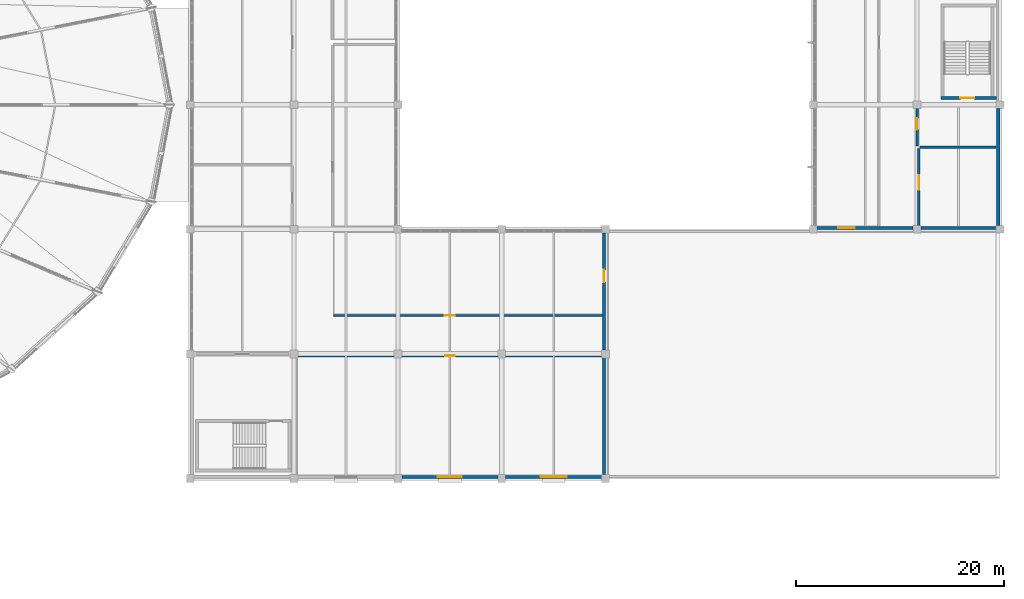
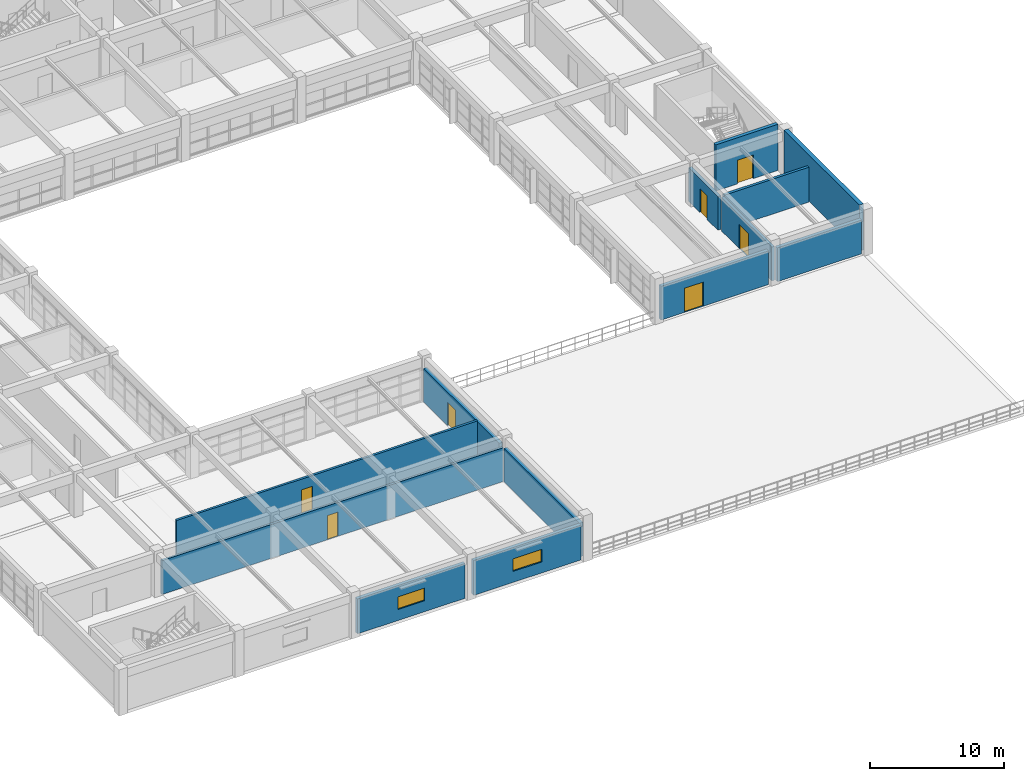
# One storey, part 71 of 83: 13 walls, 7 doors, 2 windows, 9 openings.
"""IFC4 building model written with IfcOpenShell, lengths in metres."""

from ifc_helpers import new_model, si_unit, direction, frame, frame_2d, origin, place, context, subcontext, project, spatial, rectangle, extrude, material, layer, layer_set, type_object, element, fill, save


model = new_model("IFC4")

# Units and contexts
model_context = context("Model", 3, precision=1e-05, world=origin(), true_north=direction((0.0, 1.0)))
body_context = subcontext(model_context, "Body", "Model", "MODEL_VIEW")
ifc_project = project(units=[si_unit("LENGTHUNIT", "METRE"), si_unit("AREAUNIT", "SQUARE_METRE"), si_unit("VOLUMEUNIT", "CUBIC_METRE"), si_unit("PLANEANGLEUNIT", "RADIAN"), si_unit("MASSUNIT", "GRAM", prefix="KILO")], contexts=[model_context])

# Site, building, storey
site_placement = place(None, origin())
site = spatial("IfcSite", under=ifc_project, at=site_placement, CompositionType="ELEMENT")
building_placement = place(site_placement, origin())
building = spatial("IfcBuilding", under=site, at=building_placement, Name="Kivolera Central Railway Station", CompositionType="ELEMENT")
storey_placement = place(building_placement, frame((0.0, 0.0, 14.39990234375)))
storey = spatial("IfcBuildingStorey", under=building, at=storey_placement, Name="L03", CompositionType="ELEMENT", Elevation=14.39990234375)

# Wall, opening, door
ifc_material_1 = material(Name="Concrete C40/50", Category="concrete")
ifc_layer_1 = layer(ifc_material_1, 0.22998046875, Name="Concrete C40/50")
ifc_layer_set_1 = layer_set([ifc_layer_1], Name="Concrete C40/50")
wall_type_1 = type_object("IfcWallType", Name="WL-COMP-230", PredefinedType="PARTITIONING", material=ifc_layer_set_1)
wall_1_placement = place(storey_placement, frame((188.179931640625, 78.300048828125, 0.0), z_axis=(0.0, 0.0, 1.0), x_axis=(0.0, 1.0, 0.0)))
wall_1 = element("IfcWall", 1, at=wall_1_placement, inside=storey, type_object=wall_type_1, Name="L03 Level 03 Air Handling Plant Room Corridor Wall", PredefinedType="PARTITIONING", context=body_context, shape_type="SweptSolid", body=[
    extrude(rectangle(XDim=7.5, YDim=0.22998046875, at=frame_2d((3.75, 0.0))), origin(), (0.0, 0.0, 1.0), 3.078125),
])
opening_1_placement = place(wall_1_placement, frame((3.5, 0.0, 0.0)))
opening_1 = element("IfcOpeningElement", 2, at=opening_1_placement, cuts=wall_1, Name="Opening D-PLT-1400", PredefinedType="OPENING", context=body_context, shape_type="SweptSolid", body=[
    extrude(rectangle(XDim=1.39990234375, YDim=2.199951171875, at=frame_2d((0.699951171875, 1.10009765625))), frame((0.0, 0.125, 0.0), z_axis=(0.0, -1.0, 0.0), x_axis=(1.0, 0.0, 0.0)), (0.0, 0.0, 1.0), 0.25),
])
ifc_material_2 = material(Name="Anodised aluminium", Category="aluminium")
door_type_1 = type_object("IfcDoorType", Name="DR-D-PLT-1400", OperationType="NOTDEFINED", PredefinedType="DOOR", material=ifc_material_2)
door_1_placement = place(opening_1_placement, origin())
door_1 = element("IfcDoor", 3, at=door_1_placement, inside=storey, type_object=door_type_1, Name="L03 Level 03 Air Handling Plant Room Door", OperationType="SINGLE_SWING_RIGHT", OverallHeight=2.199951171875, OverallWidth=1.39990234375, PredefinedType="DOOR", context=body_context, shape_type="SweptSolid", body=[
    extrude(rectangle(XDim=1.39990234375, YDim=2.199951171875, at=frame_2d((0.699951171875, 1.10009765625))), frame((0.0, 0.02490234375, 0.0), z_axis=(0.0, -1.0, 0.0), x_axis=(1.0, 0.0, 0.0)), (0.0, 0.0, 1.0), 0.050048828125),
])
fill(opening_1, door_1)

# Wall
wall_2_placement = place(storey_placement, frame((188.300048828125, 85.89990234375, 0.0), z_axis=(0.0, 0.0, 1.0), x_axis=(1.0, 0.0, 0.0)))
element("IfcWall", 4, at=wall_2_placement, inside=storey, type_object=wall_type_1, Name="L03 Level 03 Air Handling Plant Room Partition Wall", PredefinedType="PARTITIONING", context=body_context, shape_type="SweptSolid", body=[
    extrude(rectangle(XDim=7.300048828125, YDim=0.22998046875, at=frame_2d((3.64990234375, 0.0))), origin(), (0.0, 0.0, 1.0), 3.177978515625),
])

# Wall, opening, door
ifc_material_3 = material(Name="Swahili coral limestone", Category="masonry")
ifc_layer_2 = layer(ifc_material_3, 0.199951171875, Name="Swahili coral limestone")
ifc_layer_set_2 = layer_set([ifc_layer_2], Name="Swahili coral limestone")
wall_type_2 = type_object("IfcWallType", Name="WL-COR-200", PredefinedType="PARTITIONING", material=ifc_layer_set_2)
wall_3_placement = place(storey_placement, frame((128.300048828125, 65.820068359375, 0.0), z_axis=(0.0, 0.0, 1.0), x_axis=(1.0, 0.0, 0.0)))
wall_3 = element("IfcWall", 5, at=wall_3_placement, inside=storey, type_object=wall_type_2, Name="L03 Human Resources and Legal Office Corridor Wall", PredefinedType="PARTITIONING", context=body_context, shape_type="SweptSolid", body=[
    extrude(rectangle(XDim=29.39990234375, YDim=0.199951171875, at=frame_2d((14.699951171875, 0.0))), origin(), (0.0, 0.0, 1.0), 3.078125),
])
opening_2_placement = place(wall_3_placement, frame((14.25, 0.0, 0.0)))
opening_2 = element("IfcOpeningElement", 6, at=opening_2_placement, cuts=wall_3, Name="Opening D-SG-07", PredefinedType="OPENING", context=body_context, shape_type="SweptSolid", body=[
    extrude(rectangle(XDim=0.89990234375, YDim=2.199951171875, at=frame_2d((0.449951171875, 1.10009765625))), frame((0.0, 0.10986328125, 0.0), z_axis=(0.0, -1.0, 0.0), x_axis=(1.0, 0.0, 0.0)), (0.0, 0.0, 1.0), 0.219970703125),
])
ifc_material_4 = material(Name="Hardwood mvule timber", Category="wood")
door_type_2 = type_object("IfcDoorType", Name="DR-D-SG-07", OperationType="NOTDEFINED", PredefinedType="DOOR", material=ifc_material_4)
door_2_placement = place(opening_2_placement, origin())
door_2 = element("IfcDoor", 7, at=door_2_placement, inside=storey, type_object=door_type_2, Name="L03 Human Resources and Legal Office Door", OperationType="SINGLE_SWING_LEFT", OverallHeight=2.199951171875, OverallWidth=0.89990234375, PredefinedType="DOOR", context=body_context, shape_type="SweptSolid", body=[
    extrude(rectangle(XDim=0.89990234375, YDim=2.199951171875, at=frame_2d((0.449951171875, 1.10009765625))), frame((0.0, 0.02490234375, 0.0), z_axis=(0.0, -1.0, 0.0), x_axis=(1.0, 0.0, 0.0)), (0.0, 0.0, 1.0), 0.050048828125),
])
fill(opening_2, door_2)

wall_4_placement = place(storey_placement, frame((131.800048828125, 69.679931640625, 0.0), z_axis=(0.0, 0.0, 1.0), x_axis=(1.0, 0.0, 0.0)))
wall_4 = element("IfcWall", 8, at=wall_4_placement, inside=storey, type_object=wall_type_2, Name="L03 South Overlook Pavilion Lounge Corridor Wall", PredefinedType="PARTITIONING", context=body_context, shape_type="SweptSolid", body=[
    extrude(rectangle(XDim=25.89990234375, YDim=0.199951171875, at=frame_2d((12.949951171875, 0.0))), origin(), (0.0, 0.0, 1.0), 3.177978515625),
])
opening_3_placement = place(wall_4_placement, frame((10.72509765625, 0.0, 0.0)))
opening_3 = element("IfcOpeningElement", 9, at=opening_3_placement, cuts=wall_4, Name="Opening D-SG-08", PredefinedType="OPENING", context=body_context, shape_type="SweptSolid", body=[
    extrude(rectangle(XDim=0.949951171875, YDim=2.199951171875, at=frame_2d((0.47509765625, 1.10009765625))), frame((0.0, 0.10986328125, 0.0), z_axis=(0.0, -1.0, 0.0), x_axis=(1.0, 0.0, 0.0)), (0.0, 0.0, 1.0), 0.219970703125),
])
door_type_3 = type_object("IfcDoorType", Name="DR-D-SG-08", OperationType="NOTDEFINED", PredefinedType="DOOR", material=ifc_material_4)
door_3_placement = place(opening_3_placement, origin())
door_3 = element("IfcDoor", 10, at=door_3_placement, inside=storey, type_object=door_type_3, Name="L03 South Overlook Pavilion Lounge Door", OperationType="SINGLE_SWING_RIGHT", OverallHeight=2.199951171875, OverallWidth=0.949951171875, PredefinedType="DOOR", context=body_context, shape_type="SweptSolid", body=[
    extrude(rectangle(XDim=0.949951171875, YDim=2.199951171875, at=frame_2d((0.47509765625, 1.10009765625))), frame((0.0, 0.02490234375, 0.0), z_axis=(0.0, -1.0, 0.0), x_axis=(1.0, 0.0, 0.0)), (0.0, 0.0, 1.0), 0.050048828125),
])
fill(opening_3, door_3)

ifc_layer_3 = layer(ifc_material_1, 0.300048828125, Name="Concrete C40/50")
ifc_layer_set_3 = layer_set([ifc_layer_3], Name="Concrete C40/50")
wall_type_3 = type_object("IfcWallType", Name="WL-CORE-300", PredefinedType="SHEAR", material=ifc_layer_set_3)
wall_5_placement = place(storey_placement, frame((195.64990234375, 90.64990234375, 0.0), z_axis=(0.0, 0.0, 1.0), x_axis=(-1.0, 0.0, 0.0)))
wall_5 = element("IfcWall", 11, at=wall_5_placement, inside=storey, type_object=wall_type_3, Name="L03 ST11 Core Near Shear Wall", PredefinedType="SHEAR", context=body_context, shape_type="SweptSolid", body=[
    extrude(rectangle(XDim=5.349853515625, YDim=0.300048828125, at=frame_2d((2.6748046875, 0.0))), origin(), (0.0, 0.0, 1.0), 4.2001953125),
])
opening_4_placement = place(wall_5_placement, frame((2.125, 0.0, 0.0)))
opening_4 = element("IfcOpeningElement", 12, at=opening_4_placement, cuts=wall_5, Name="Opening D-STAIR-1350", PredefinedType="OPENING", context=body_context, shape_type="SweptSolid", body=[
    extrude(rectangle(XDim=1.35009765625, YDim=2.14990234375, at=frame_2d((0.675048828125, 1.074951171875))), frame((0.0, 0.159912109375, 0.0), z_axis=(0.0, -1.0, 0.0), x_axis=(1.0, 0.0, 0.0)), (0.0, 0.0, 1.0), 0.320068359375),
])
door_type_4 = type_object("IfcDoorType", Name="DR-D-STAIR-1350", OperationType="NOTDEFINED", PredefinedType="DOOR", material=ifc_material_4)
door_4_placement = place(opening_4_placement, origin())
door_4 = element("IfcDoor", 13, at=door_4_placement, inside=storey, type_object=door_type_4, Name="L03 ST11 Concourse/Platform Stair Fire Door", OperationType="SINGLE_SWING_RIGHT", OverallHeight=2.14990234375, OverallWidth=1.35009765625, PredefinedType="DOOR", context=body_context, shape_type="SweptSolid", body=[
    extrude(rectangle(XDim=1.35009765625, YDim=2.14990234375, at=frame_2d((0.675048828125, 1.074951171875))), frame((0.0, 0.02490234375, 0.0), z_axis=(0.0, -1.0, 0.0), x_axis=(1.0, 0.0, 0.0)), (0.0, 0.0, 1.0), 0.050048828125),
])
fill(opening_4, door_4)

ifc_layer_4 = layer(ifc_material_3, 0.2900390625, Name="Swahili coral limestone")
ifc_layer_set_4 = layer_set([ifc_layer_4], Name="Swahili coral limestone")
wall_type_4 = type_object("IfcWallType", Name="WL-EXT-CORAL-290", PredefinedType="SOLIDWALL", material=ifc_layer_set_4)
wall_6_placement = place(storey_placement, frame((187.6298828125, 78.14501953125, 0.0), z_axis=(0.0, 0.0, 1.0), x_axis=(-1.0, 0.0, 0.0)))
wall_6 = element("IfcWall", 14, at=wall_6_placement, inside=storey, type_object=wall_type_4, Name="L03 East Wing South Wall 178", PredefinedType="SOLIDWALL", context=body_context, shape_type="SweptSolid", body=[
    extrude(rectangle(XDim=9.259765625, YDim=0.2900390625, at=frame_2d((4.6298828125, 0.0))), origin(), (0.0, 0.0, 1.0), 3.078125),
])
opening_5_placement = place(wall_6_placement, frame((5.6298828125, 0.0, 0.0)))
opening_5 = element("IfcOpeningElement", 15, at=opening_5_placement, cuts=wall_6, Name="Opening TD-1600", PredefinedType="OPENING", context=body_context, shape_type="SweptSolid", body=[
    extrude(rectangle(XDim=1.60009765625, YDim=2.199951171875, at=frame_2d((0.800048828125, 1.10009765625))), frame((0.0, 0.155029296875, 0.0), z_axis=(0.0, -1.0, 0.0), x_axis=(1.0, 0.0, 0.0)), (0.0, 0.0, 1.0), 0.31005859375),
])
door_type_5 = type_object("IfcDoorType", Name="DR-TD-1600", OperationType="NOTDEFINED", PredefinedType="DOOR", material=ifc_material_2)
door_5_placement = place(opening_5_placement, origin())
door_5 = element("IfcDoor", 16, at=door_5_placement, inside=storey, type_object=door_type_5, Name="L03 Civic Lounge Monsoon Terrace Door", OperationType="DOUBLE_DOOR_SINGLE_SWING", OverallHeight=2.199951171875, OverallWidth=1.60009765625, PredefinedType="DOOR", context=body_context, shape_type="SweptSolid", body=[
    extrude(rectangle(XDim=1.60009765625, YDim=2.199951171875, at=frame_2d((0.800048828125, 1.10009765625))), frame((0.0, 0.02490234375, 0.0), z_axis=(0.0, -1.0, 0.0), x_axis=(1.0, 0.0, 0.0)), (0.0, 0.0, 1.0), 0.050048828125),
])
fill(opening_5, door_5)

# Walls
wall_7_placement = place(storey_placement, frame((195.6298828125, 78.14501953125, 0.0), z_axis=(0.0, 0.0, 1.0), x_axis=(-1.0, 0.0, 0.0)))
element("IfcWall", 17, at=wall_7_placement, inside=storey, type_object=wall_type_4, Name="L03 East Wing South Wall 188", PredefinedType="SOLIDWALL", context=body_context, shape_type="SweptSolid", body=[
    extrude(rectangle(XDim=7.259765625, YDim=0.2900390625, at=frame_2d((3.6298828125, 0.0))), origin(), (0.0, 0.0, 1.0), 3.078125),
])
wall_8_placement = place(storey_placement, frame((157.85498046875, 65.6298828125, 0.0), z_axis=(0.0, 0.0, 1.0), x_axis=(0.0, -1.0, 0.0)))
element("IfcWall", 18, at=wall_8_placement, inside=storey, type_object=wall_type_4, Name="L03 Terrace Step Wall E-F", PredefinedType="SOLIDWALL", context=body_context, shape_type="SweptSolid", body=[
    extrude(rectangle(XDim=11.259765625, YDim=0.2900390625, at=frame_2d((5.6298828125, 0.0))), origin(), (0.0, 0.0, 1.0), 3.078125),
])

# Wall, opening, door
wall_9_placement = place(storey_placement, frame((157.85498046875, 77.6298828125, 0.0), z_axis=(0.0, 0.0, 1.0), x_axis=(0.0, -1.0, 0.0)))
wall_9 = element("IfcWall", 19, at=wall_9_placement, inside=storey, type_object=wall_type_4, Name="L03 Terrace Step Wall F-G", PredefinedType="SOLIDWALL", context=body_context, shape_type="SweptSolid", body=[
    extrude(rectangle(XDim=11.259765625, YDim=0.2900390625, at=frame_2d((5.6298828125, 0.0))), origin(), (0.0, 0.0, 1.0), 3.078125),
])
opening_6_placement = place(wall_9_placement, frame((3.530029296875, 0.0, 0.0)))
opening_6 = element("IfcOpeningElement", 20, at=opening_6_placement, cuts=wall_9, Name="Opening TD-1200", PredefinedType="OPENING", context=body_context, shape_type="SweptSolid", body=[
    extrude(rectangle(XDim=1.199951171875, YDim=2.14990234375, at=frame_2d((0.60009765625, 1.074951171875))), frame((0.0, 0.155029296875, 0.0), z_axis=(0.0, -1.0, 0.0), x_axis=(1.0, 0.0, 0.0)), (0.0, 0.0, 1.0), 0.31005859375),
])
door_type_6 = type_object("IfcDoorType", Name="DR-TD-1200", OperationType="NOTDEFINED", PredefinedType="DOOR", material=ifc_material_2)
door_6_placement = place(opening_6_placement, origin())
door_6 = element("IfcDoor", 21, at=door_6_placement, inside=storey, type_object=door_type_6, Name="L03 South Pavilion Monsoon Terrace Door", OperationType="SINGLE_SWING_RIGHT", OverallHeight=2.14990234375, OverallWidth=1.199951171875, PredefinedType="DOOR", context=body_context, shape_type="SweptSolid", body=[
    extrude(rectangle(XDim=1.199951171875, YDim=2.14990234375, at=frame_2d((0.60009765625, 1.074951171875))), frame((0.0, 0.02490234375, 0.0), z_axis=(0.0, -1.0, 0.0), x_axis=(1.0, 0.0, 0.0)), (0.0, 0.0, 1.0), 0.050048828125),
])
fill(opening_6, door_6)

# Wall, opening, window
wall_10_placement = place(storey_placement, frame((147.6298828125, 54.14501953125, 0.0), z_axis=(0.0, 0.0, 1.0), x_axis=(-1.0, 0.0, 0.0)))
wall_10 = element("IfcWall", 22, at=wall_10_placement, inside=storey, type_object=wall_type_4, Name="L03 South Facade Wall 138-148", PredefinedType="SOLIDWALL", context=body_context, shape_type="SweptSolid", body=[
    extrude(rectangle(XDim=9.259765625, YDim=0.2900390625, at=frame_2d((4.6298828125, 0.0))), origin(), (0.0, 0.0, 1.0), 3.177978515625),
])
opening_7_placement = place(wall_10_placement, frame((3.47998046875, 0.0, 1.0)))
opening_7 = element("IfcOpeningElement", 23, at=opening_7_placement, cuts=wall_10, Name="Opening WN-08", PredefinedType="OPENING", context=body_context, shape_type="SweptSolid", body=[
    extrude(rectangle(XDim=2.300048828125, YDim=1.14990234375, at=frame_2d((1.14990234375, 0.574951171875))), frame((0.0, 0.155029296875, 0.0), z_axis=(0.0, -1.0, 0.0), x_axis=(1.0, 0.0, 0.0)), (0.0, 0.0, 1.0), 0.31005859375),
])
ifc_material_5 = material(Name="Double low-E laminated glass", Category="glass")
window_type_1 = type_object("IfcWindowType", Name="WIN-WN-08", PartitioningType="SINGLE_PANEL", PredefinedType="WINDOW", material=ifc_material_5)
window_1_placement = place(opening_7_placement, origin())
window_1 = element("IfcWindow", 24, at=window_1_placement, inside=storey, type_object=window_type_1, Name="L03 South Facade Window 138", OverallHeight=1.14990234375, OverallWidth=2.300048828125, PartitioningType="SINGLE_PANEL", PredefinedType="WINDOW", context=body_context, shape_type="SweptSolid", body=[
    extrude(rectangle(XDim=2.300048828125, YDim=1.14990234375, at=frame_2d((1.14990234375, 0.574951171875))), frame((0.0, 0.030029296875, 0.0), z_axis=(0.0, -1.0, 0.0), x_axis=(1.0, 0.0, 0.0)), (0.0, 0.0, 1.0), 0.06005859375),
])
fill(opening_7, window_1)

wall_11_placement = place(storey_placement, frame((157.6298828125, 54.14501953125, 0.0), z_axis=(0.0, 0.0, 1.0), x_axis=(-1.0, 0.0, 0.0)))
wall_11 = element("IfcWall", 25, at=wall_11_placement, inside=storey, type_object=wall_type_4, Name="L03 South Facade Wall 148-158", PredefinedType="SOLIDWALL", context=body_context, shape_type="SweptSolid", body=[
    extrude(rectangle(XDim=9.259765625, YDim=0.2900390625, at=frame_2d((4.6298828125, 0.0))), origin(), (0.0, 0.0, 1.0), 3.177978515625),
])
opening_8_placement = place(wall_11_placement, frame((3.3798828125, 0.0, 1.0)))
opening_8 = element("IfcOpeningElement", 26, at=opening_8_placement, cuts=wall_11, Name="Opening WN-09", PredefinedType="OPENING", context=body_context, shape_type="SweptSolid", body=[
    extrude(rectangle(XDim=2.5, YDim=1.14990234375, at=frame_2d((1.25, 0.574951171875))), frame((0.0, 0.155029296875, 0.0), z_axis=(0.0, -1.0, 0.0), x_axis=(1.0, 0.0, 0.0)), (0.0, 0.0, 1.0), 0.31005859375),
])
window_type_2 = type_object("IfcWindowType", Name="WIN-WN-09", PartitioningType="SINGLE_PANEL", PredefinedType="WINDOW", material=ifc_material_5)
window_2_placement = place(opening_8_placement, origin())
window_2 = element("IfcWindow", 27, at=window_2_placement, inside=storey, type_object=window_type_2, Name="L03 South Facade Window 148", OverallHeight=1.14990234375, OverallWidth=2.5, PartitioningType="SINGLE_PANEL", PredefinedType="WINDOW", context=body_context, shape_type="SweptSolid", body=[
    extrude(rectangle(XDim=2.5, YDim=1.14990234375, at=frame_2d((1.25, 0.574951171875))), frame((0.0, 0.030029296875, 0.0), z_axis=(0.0, -1.0, 0.0), x_axis=(1.0, 0.0, 0.0)), (0.0, 0.0, 1.0), 0.06005859375),
])
fill(opening_8, window_2)

# Wall, opening, door
ifc_layer_5 = layer(ifc_material_1, 0.25, Name="Concrete C40/50")
ifc_layer_set_5 = layer_set([ifc_layer_5], Name="Concrete C40/50")
wall_type_5 = type_object("IfcWallType", Name="WL-FFL-250", PredefinedType="PARTITIONING", material=ifc_layer_set_5)
wall_12_placement = place(storey_placement, frame((188.0, 86.0, 0.0), z_axis=(0.0, 0.0, 1.0), x_axis=(0.0, 1.0, 0.0)))
wall_12 = element("IfcWall", 28, at=wall_12_placement, inside=storey, type_object=wall_type_5, Name="L03 ST11 Lobby Wall", PredefinedType="PARTITIONING", context=body_context, shape_type="SweptSolid", body=[
    extrude(rectangle(XDim=4.35009765625, YDim=0.25, at=frame_2d((2.175048828125, 0.0))), origin(), (0.0, 0.0, 1.0), 3.078125),
])
opening_9_placement = place(wall_12_placement, frame((1.60009765625, 0.0, 0.0)))
opening_9 = element("IfcOpeningElement", 29, at=opening_9_placement, cuts=wall_12, Name="Opening D-FFL-1100", PredefinedType="OPENING", context=body_context, shape_type="SweptSolid", body=[
    extrude(rectangle(XDim=1.10009765625, YDim=2.14990234375, at=frame_2d((0.550048828125, 1.074951171875))), frame((0.0, 0.135009765625, 0.0), z_axis=(0.0, -1.0, 0.0), x_axis=(1.0, 0.0, 0.0)), (0.0, 0.0, 1.0), 0.27001953125),
])
door_type_7 = type_object("IfcDoorType", Name="DR-D-FFL-1100", OperationType="NOTDEFINED", PredefinedType="DOOR", material=ifc_material_4)
door_7_placement = place(opening_9_placement, origin())
door_7 = element("IfcDoor", 30, at=door_7_placement, inside=storey, type_object=door_type_7, Name="L03 ST11 Lobby Corridor Door", OperationType="SINGLE_SWING_RIGHT", OverallHeight=2.14990234375, OverallWidth=1.10009765625, PredefinedType="DOOR", context=body_context, shape_type="SweptSolid", body=[
    extrude(rectangle(XDim=1.10009765625, YDim=2.14990234375, at=frame_2d((0.550048828125, 1.074951171875))), frame((0.0, 0.02490234375, 0.0), z_axis=(0.0, -1.0, 0.0), x_axis=(1.0, 0.0, 0.0)), (0.0, 0.0, 1.0), 0.050048828125),
])
fill(opening_9, door_7)

# Wall
ifc_layer_6 = layer(ifc_material_1, 0.35009765625, Name="Concrete C40/50")
ifc_layer_set_6 = layer_set([ifc_layer_6], Name="Concrete C40/50")
wall_type_6 = type_object("IfcWallType", Name="WL-PARTY-350", PredefinedType="SOLIDWALL", material=ifc_layer_set_6)
wall_13_placement = place(storey_placement, frame((195.824951171875, 89.6298828125, 0.0), z_axis=(0.0, 0.0, 1.0), x_axis=(0.0, -1.0, 0.0)))
element("IfcWall", 31, at=wall_13_placement, inside=storey, type_object=wall_type_6, Name="L03 East Infill EI 120 Party Wall 78-90", PredefinedType="SOLIDWALL", context=body_context, shape_type="SweptSolid", body=[
    extrude(rectangle(XDim=11.259765625, YDim=0.35009765625, at=frame_2d((5.6298828125, 0.0))), origin(), (0.0, 0.0, 1.0), 4.2001953125),
])

save(model, "model.ifc")
